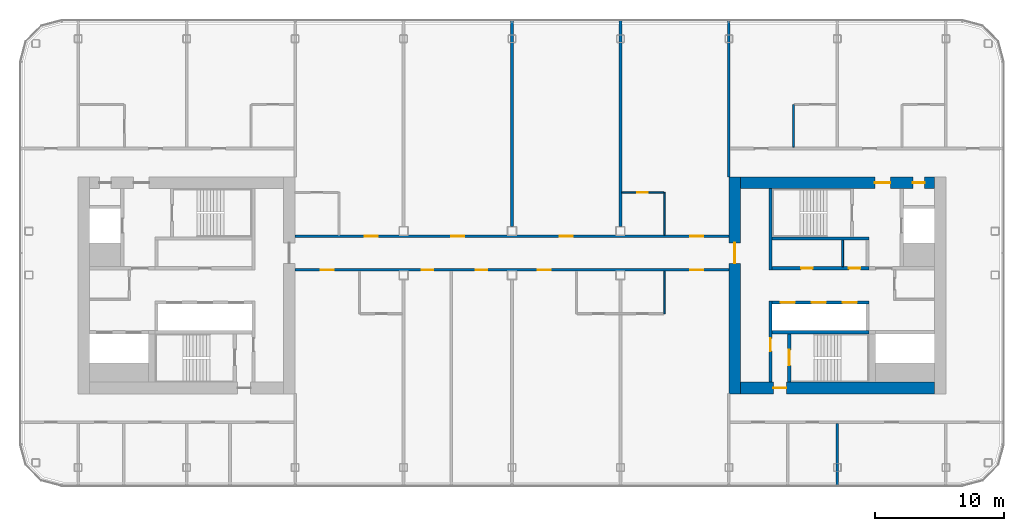
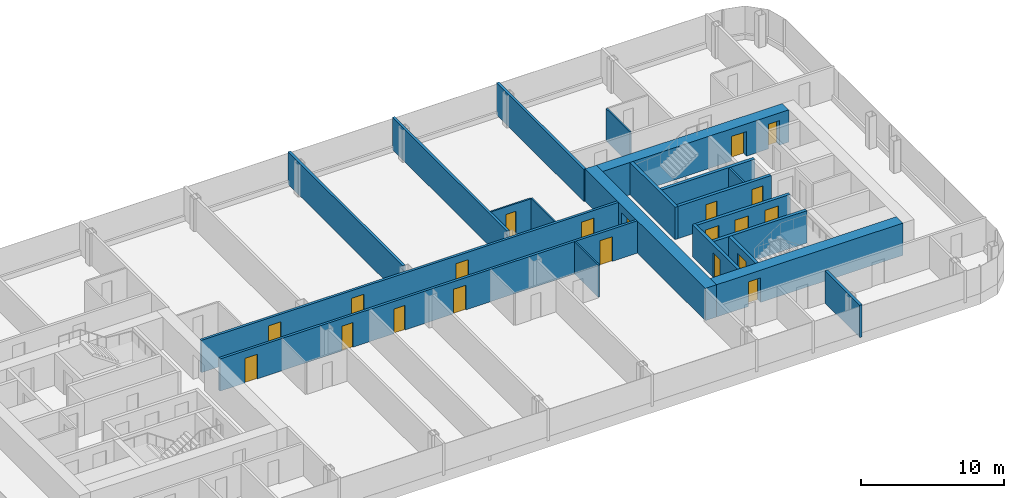
# One storey, part 15 of 25: 21 doors, 21 walls, 21 openings.
"""IFC4 building model written with IfcOpenShell, lengths in metres."""

import ifcopenshell
import ifcopenshell.guid

model = None  # the IFC model being written
_history = None  # IfcOwnerHistory: only IFC2X3 demands one
_inside = {}  # id of a spatial element -> (the spatial element, [elements in it])
_under = {}  # id of a project, library or spatial element -> (it, [spatial elements below it])
_declared = {}  # id of a project -> (the project, [libraries it declares])
_typed = {}  # id of a type object -> (the type object, [elements of that type])
_made_of = {}  # id of a material, layer set ... -> (it, [elements and type objects made of it])


def new_model(schema):
    """Start an empty IFC model of exactly this schema.

    Asked for "IFC4X3", IfcOpenShell would pick the latest addendum, in which some entities
    have other attributes; the version numbers below select the first issue.
    IFC2X3 requires an IfcOwnerHistory on every rooted entity: one is made here for all.
    """
    global model, _history
    if schema == "IFC4X3":
        model = ifcopenshell.file(schema_version=(4, 3, 0, 0))
    else:
        model = ifcopenshell.file(schema=schema)
    _inside.clear()
    _under.clear()
    _declared.clear()
    _typed.clear()
    _made_of.clear()
    _history = None
    if model.schema == "IFC2X3":
        org = make("IfcOrganization", Name="unknown")
        user = make(
            "IfcPersonAndOrganization",
            ThePerson=make("IfcPerson", FamilyName="unknown"),
            TheOrganization=org,
        )
        app = make(
            "IfcApplication",
            ApplicationDeveloper=org,
            Version="unknown",
            ApplicationFullName="unknown",
            ApplicationIdentifier="unknown",
        )
        _history = make(
            "IfcOwnerHistory",
            OwningUser=user,
            OwningApplication=app,
            ChangeAction="ADDED",
            CreationDate=0,
        )
    return model


def make(cls, **values):
    """One entity of the class cls with the attributes given. An attribute that is None is left unset."""
    return model.create_entity(
        cls, **{name: value for name, value in values.items() if value is not None}
    )


def rooted(cls, **values):
    """An entity with a GlobalId (a new one), such as an element, a storey or a relation."""
    return make(cls, GlobalId=ifcopenshell.guid.new(), OwnerHistory=_history, **values)


def si_unit(unit_type, name, prefix=None):
    """IfcSIUnit, for example si_unit("LENGTHUNIT", "METRE", prefix="MILLI")."""
    return make("IfcSIUnit", UnitType=unit_type, Prefix=prefix, Name=name)


def assignment(units):
    """IfcUnitAssignment: the units of a project."""
    return None if units is None else make("IfcUnitAssignment", Units=units)


def point(xyz):
    """IfcCartesianPoint."""
    return None if xyz is None else make("IfcCartesianPoint", Coordinates=xyz)


def direction(xyz):
    """IfcDirection."""
    return None if xyz is None else make("IfcDirection", DirectionRatios=xyz)


def frame(location, z_axis=None, x_axis=None):
    """IfcAxis2Placement3D, a coordinate frame: its origin and axes. An axis left out is left unset."""
    return make(
        "IfcAxis2Placement3D",
        Location=point(location),
        Axis=direction(z_axis),
        RefDirection=direction(x_axis),
    )


def frame_2d(location, x_axis=None):
    """IfcAxis2Placement2D, a coordinate frame in the plane: its origin and x axis."""
    return make(
        "IfcAxis2Placement2D", Location=point(location), RefDirection=direction(x_axis)
    )


def origin():
    """The frame at (0, 0, 0) with its axes left unset."""
    return frame((0.0, 0.0, 0.0))


def place(relative_to, where):
    """IfcLocalPlacement: puts the frame where relative to a parent placement (None: the world)."""
    return make(
        "IfcLocalPlacement", PlacementRelTo=relative_to, RelativePlacement=where
    )


def context(
    kind, dimensions, precision=None, world=None, true_north=None, identifier=None
):
    """IfcGeometricRepresentationContext, for example the 3D "Model" context."""
    return make(
        "IfcGeometricRepresentationContext",
        ContextIdentifier=identifier,
        ContextType=kind,
        CoordinateSpaceDimension=dimensions,
        Precision=precision,
        WorldCoordinateSystem=world,
        TrueNorth=true_north,
    )


def subcontext(parent, identifier, kind, view, scale=None):
    """IfcGeometricRepresentationSubContext, for example "Body" below "Model"."""
    return make(
        "IfcGeometricRepresentationSubContext",
        ContextIdentifier=identifier,
        ContextType=kind,
        ParentContext=parent,
        TargetScale=scale,
        TargetView=view,
    )


def project(units=None, contexts=None):
    """IfcProject with its units and contexts."""
    return rooted(
        "IfcProject",
        Name="project",
        RepresentationContexts=contexts,
        UnitsInContext=assignment(units),
    )


def spatial(cls, under=None, at=None, **own):
    """A site, building, storey or space (cls), placed at a placement, below another one or the project."""
    s = rooted(cls, ObjectPlacement=at, **own)
    if under is not None:
        _under.setdefault(under.id(), (under, []))[1].append(s)
    return s


def profile(cls, at=None, kind="AREA", **sizes):
    """A parametric profile (cls). Its sizes go by their IFC names, for example OverallWidth=200.0."""
    return make(cls, ProfileType=kind, Position=at, **sizes)


def rectangle(**sizes):
    """IfcRectangleProfileDef."""
    return profile("IfcRectangleProfileDef", **sizes)


def extrude(swept, where, along, depth):
    """IfcExtrudedAreaSolid: the profile swept, set in the frame where, extruded along a direction by depth."""
    return make(
        "IfcExtrudedAreaSolid",
        SweptArea=swept,
        Position=where,
        ExtrudedDirection=direction(along),
        Depth=depth,
    )


def shape(context_of_items, identifier, shape_type, items):
    """IfcShapeRepresentation: the items that make up one representation, for example the "Body"."""
    return make(
        "IfcShapeRepresentation",
        ContextOfItems=context_of_items,
        RepresentationIdentifier=identifier,
        RepresentationType=shape_type,
        Items=items,
    )


def material(Name=None, Category=None):
    """IfcMaterial."""
    return make("IfcMaterial", Name=Name, Category=Category)


def layer(
    of_material, thickness, ventilated=None, Name=None, Category=None, Priority=None
):
    """IfcMaterialLayer: one layer of a wall or slab, of a material (None: an air gap)."""
    return make(
        "IfcMaterialLayer",
        Material=of_material,
        LayerThickness=thickness,
        IsVentilated=ventilated,
        Name=Name,
        Category=Category,
        Priority=Priority,
    )


def layer_set(layers, Name=None):
    """IfcMaterialLayerSet."""
    return make("IfcMaterialLayerSet", MaterialLayers=layers, LayerSetName=Name)


def made_of(thing, what):
    """Note that an element or type object is made of a material, layer set ...; save() writes the relation."""
    if what is not None:
        _made_of.setdefault(what.id(), (what, []))[1].append(thing)
    return thing


def type_object(cls, material=None, **own):
    """A type object (cls), such as IfcWallType, which elements share."""
    return made_of(rooted(cls, **own), material)


def element(
    cls,
    number,
    at=None,
    inside=None,
    cuts=None,
    type_object=None,
    material=None,
    context=None,
    identifier="Body",
    shape_type=None,
    held_by="IfcProductDefinitionShape",
    body=None,
    shapes=None,
    **own,
):
    """One element of the class cls, such as IfcWall. Its Tag is "e" and its number.

    at: its placement. inside: the storey or other place that contains it. cuts: it is an
    opening in that element (IfcRelVoidsElement). A single representation is given by context,
    identifier, shape_type and body (its items); several are given by shapes. held_by: the class
    of the entity that holds the representations. save() writes the other relations.
    """
    e = rooted(cls, Tag="e%d" % number, ObjectPlacement=at, **own)
    if body is not None:
        shapes = [shape(context, identifier, shape_type, body)]
    if shapes is not None:
        e.Representation = make(held_by, Representations=shapes)
    if inside is not None:
        _inside.setdefault(inside.id(), (inside, []))[1].append(e)
    if cuts is not None:
        rooted(
            "IfcRelVoidsElement", RelatingBuildingElement=cuts, RelatedOpeningElement=e
        )
    if type_object is not None:
        _typed.setdefault(type_object.id(), (type_object, []))[1].append(e)
    return made_of(e, material)


def fill(opening, filler):
    """IfcRelFillsElement: the door or window that sits in an opening."""
    return rooted(
        "IfcRelFillsElement",
        RelatingOpeningElement=opening,
        RelatedBuildingElement=filler,
    )


def aggregate(whole, parts):
    """IfcRelAggregates: a whole, such as a stair, and the parts it consists of."""
    return rooted("IfcRelAggregates", RelatingObject=whole, RelatedObjects=parts)


def save(model, path):
    """Write the relations noted so far, then the file.

    IfcRelAggregates (storeys below a building ...), IfcRelContainedInSpatialStructure (elements
    in a storey), IfcRelDefinesByType, IfcRelAssociatesMaterial and IfcRelDeclares: one each for
    every whole, place, type object, material and project.
    """
    for whole, parts in _under.values():
        aggregate(whole, parts)
    for where, things in _inside.values():
        rooted(
            "IfcRelContainedInSpatialStructure",
            RelatedElements=things,
            RelatingStructure=where,
        )
    for kind, things in _typed.values():
        rooted("IfcRelDefinesByType", RelatedObjects=things, RelatingType=kind)
    for what, things in _made_of.values():
        rooted("IfcRelAssociatesMaterial", RelatedObjects=things, RelatingMaterial=what)
    for by, libraries in _declared.values():
        rooted("IfcRelDeclares", RelatingContext=by, RelatedDefinitions=libraries)
    model.write(path)


model = new_model("IFC4")

# Units and contexts
model_context = context("Model", 3, precision=1e-05, world=origin(), true_north=direction((0.0, 1.0)))
body_context = subcontext(model_context, "Body", "Model", "MODEL_VIEW")
ifc_project = project(units=[si_unit("LENGTHUNIT", "METRE"), si_unit("AREAUNIT", "SQUARE_METRE"), si_unit("VOLUMEUNIT", "CUBIC_METRE"), si_unit("PLANEANGLEUNIT", "RADIAN"), si_unit("MASSUNIT", "GRAM", prefix="KILO")], contexts=[model_context])

# Site, building, storey
site_placement = place(None, origin())
site = spatial("IfcSite", under=ifc_project, at=site_placement, CompositionType="ELEMENT")
building_placement = place(site_placement, origin())
building = spatial("IfcBuilding", under=site, at=building_placement, Name="Hakoniwa Tower and Hamabe Station Hall", CompositionType="ELEMENT")
storey_placement = place(building_placement, frame((0.0, 0.0, 202.60009765625)))
storey = spatial("IfcBuildingStorey", under=building, at=storey_placement, Name="L57", CompositionType="ELEMENT", Elevation=202.60009765625)

# Wall, opening, door
ifc_material_1 = material(Name="Gypsum board partition", Category="gypsum")
ifc_layer_1 = layer(ifc_material_1, 0.125)
ifc_layer_set_1 = layer_set([ifc_layer_1], Name="Bathroom Partition 125")
wall_type_1 = type_object("IfcWallType", Name="Bathroom Partition 125", PredefinedType="PARTITIONING", material=ifc_layer_set_1)
wall_1_placement = place(storey_placement, frame((8.5, 7.199951171875, 0.0), z_axis=(0.0, 0.0, 1.0), x_axis=(1.0, 0.0, 0.0)))
wall_1 = element("IfcWall", 1, at=wall_1_placement, inside=storey, type_object=wall_type_1, Name="GW-L57-008", PredefinedType="PARTITIONING", context=body_context, shape_type="SweptSolid", body=[
    extrude(rectangle(XDim=3.237548828125, YDim=0.125, at=frame_2d((1.61865234375, 0.0))), origin(), (0.0, 0.0, 1.0), 2.75),
])
opening_1_placement = place(wall_1_placement, frame((1.199951171875, 0.0, 0.0)))
opening_1 = element("IfcOpeningElement", 2, at=opening_1_placement, cuts=wall_1, Name="Opening GD-G4A1-23", PredefinedType="OPENING", context=body_context, shape_type="SweptSolid", body=[
    extrude(rectangle(XDim=0.800048828125, YDim=2.10009765625, at=frame_2d((0.39990234375, 1.050048828125))), frame((0.0, 0.072509765625, 0.0), z_axis=(0.0, -1.0, 0.0), x_axis=(1.0, 0.0, 0.0)), (0.0, 0.0, 1.0), 0.14501953125),
])
ifc_material_2 = material(Name="Timber door leaf", Category="wood")
door_type_1 = type_object("IfcDoorType", Name="Bathroom Door 800", OperationType="SINGLE_SWING_LEFT", PredefinedType="DOOR", material=ifc_material_2)
door_1_placement = place(opening_1_placement, origin())
door_1 = element("IfcDoor", 3, at=door_1_placement, inside=storey, type_object=door_type_1, Name="Door GD-G4A1-23", OperationType="SINGLE_SWING_LEFT", OverallHeight=2.10009765625, OverallWidth=0.800048828125, PredefinedType="DOOR", context=body_context, shape_type="SweptSolid", body=[
    extrude(rectangle(XDim=0.800048828125, YDim=2.10009765625, at=frame_2d((0.39990234375, 1.050048828125))), frame((0.0, 0.02490234375, 0.0), z_axis=(0.0, -1.0, 0.0), x_axis=(1.0, 0.0, 0.0)), (0.0, 0.0, 1.0), 0.050048828125),
])
fill(opening_1, door_1)

# Walls
for number, where, z_axis, x_axis, name in (
    (4, (11.800048828125, -2.199951171875, 0.0), (0.0, 0.0, 1.0), (0.0, 1.0, 0.0), "GW-L57-035"),
    (5, (11.800048828125, 3.89990234375, 0.0), (0.0, 0.0, 1.0), (0.0, 1.0, 0.0), "GW-L57-036"),
    (6, (21.800048828125, 10.699951171875, 0.0), (0.0, 0.0, 1.0), (0.0, 1.0, 0.0), "GW-L57-040"),
):
    element("IfcWall", number, at=place(storey_placement, frame(where, z_axis=z_axis, x_axis=x_axis)), inside=storey, type_object=wall_type_1, Name=name, PredefinedType="PARTITIONING", context=body_context, shape_type="SweptSolid", body=[
        extrude(rectangle(XDim=3.300048828125, YDim=0.125, at=frame_2d((1.64990234375, 0.0))), origin(), (0.0, 0.0, 1.0), 2.75),
    ])
ifc_material_3 = material(Name="Gypsum board partition")
ifc_layer_2 = layer(ifc_material_3, 0.14990234375)
ifc_layer_set_2 = layer_set([ifc_layer_2], Name="CORE PARTITION 150 EI 60")
wall_type_2 = type_object("IfcWallType", Name="CORE PARTITION 150 EI 60", PredefinedType="PARTITIONING", material=ifc_layer_set_2)
wall_2_placement = place(storey_placement, frame((25.60009765625, 1.449951171875, 0.0), z_axis=(0.0, 0.0, 1.0), x_axis=(0.0, 1.0, 0.0)))
element("IfcWall", 7, at=wall_2_placement, inside=storey, type_object=wall_type_2, Name="Core partition PFLR0 east", PredefinedType="PARTITIONING", context=body_context, shape_type="SweptSolid", body=[
    extrude(rectangle(XDim=2.050048828125, YDim=0.14990234375, at=frame_2d((1.02490234375, 0.0))), origin(), (0.0, 0.0, 1.0), 2.75),
])

# Wall, opening, door
ifc_material_4 = material(Name="Concrete C60", Category="concrete")
ifc_layer_3 = layer(ifc_material_4, 0.89990234375)
ifc_layer_set_3 = layer_set([ifc_layer_3], Name="CORE WALL 900 C60")
wall_type_3 = type_object("IfcWallType", Name="CORE WALL 900 C60", PredefinedType="SHEAR", material=ifc_layer_set_3)
wall_3_placement = place(storey_placement, frame((17.25, -8.39990234375, 0.0), z_axis=(0.0, 0.0, 1.0), x_axis=(0.0, 1.0, 0.0)))
wall_3 = element("IfcWall", 8, at=wall_3_placement, inside=storey, type_object=wall_type_3, Name="Core wall INNER east", PredefinedType="SHEAR", context=body_context, shape_type="SweptSolid", body=[
    extrude(rectangle(XDim=16.7998046875, YDim=0.89990234375, at=frame_2d((8.39990234375, 0.0))), origin(), (0.0, 0.0, 1.0), 2.75),
])
opening_2_placement = place(wall_3_placement, frame((10.10009765625, 0.0, 0.0)))
opening_2 = element("IfcOpeningElement", 9, at=opening_2_placement, cuts=wall_3, Name="Opening CD-E-IN1-16", PredefinedType="OPENING", context=body_context, shape_type="SweptSolid", body=[
    extrude(rectangle(XDim=1.60009765625, YDim=2.10009765625, at=frame_2d((0.800048828125, 1.050048828125))), frame((0.0, 0.4599609375, 0.0), z_axis=(0.0, -1.0, 0.0), x_axis=(1.0, 0.0, 0.0)), (0.0, 0.0, 1.0), 0.919921875),
])
ifc_material_5 = material(Name="Steel fire door", Category="steel")
door_type_2 = type_object("IfcDoorType", Name="CORE DOOR 1600 FD60", OperationType="DOUBLE_DOOR_SINGLE_SWING", PredefinedType="DOOR", material=ifc_material_5)
door_2_placement = place(opening_2_placement, origin())
door_2 = element("IfcDoor", 10, at=door_2_placement, inside=storey, type_object=door_type_2, Name="Lift lobby door", OperationType="DOUBLE_DOOR_SINGLE_SWING", OverallHeight=2.10009765625, OverallWidth=1.60009765625, PredefinedType="DOOR", context=body_context, shape_type="SweptSolid", body=[
    extrude(rectangle(XDim=1.60009765625, YDim=2.10009765625, at=frame_2d((0.800048828125, 1.050048828125))), frame((0.0, 0.02490234375, 0.0), z_axis=(0.0, -1.0, 0.0), x_axis=(1.0, 0.0, 0.0)), (0.0, 0.0, 1.0), 0.050048828125),
])
fill(opening_2, door_2)

# Wall, openings, doors
wall_4_placement = place(storey_placement, frame((17.699951171875, 7.949951171875, 0.0), z_axis=(0.0, 0.0, 1.0), x_axis=(1.0, 0.0, 0.0)))
wall_4 = element("IfcWall", 11, at=wall_4_placement, inside=storey, type_object=wall_type_3, Name="Core wall NORTH east", PredefinedType="SHEAR", context=body_context, shape_type="SweptSolid", body=[
    extrude(rectangle(XDim=15.0, YDim=0.89990234375, at=frame_2d((7.5, 0.0))), origin(), (0.0, 0.0, 1.0), 2.75),
])
opening_3_placement = place(wall_4_placement, frame((10.39990234375, 0.0, 0.0)))
opening_3 = element("IfcOpeningElement", 12, at=opening_3_placement, cuts=wall_4, Name="Opening CD-E-FN1-12", PredefinedType="OPENING", context=body_context, shape_type="SweptSolid", body=[
    extrude(rectangle(XDim=1.199951171875, YDim=2.10009765625, at=frame_2d((0.60009765625, 1.050048828125))), frame((0.0, 0.4599609375, 0.0), z_axis=(0.0, -1.0, 0.0), x_axis=(1.0, 0.0, 0.0)), (0.0, 0.0, 1.0), 0.919921875),
])
opening_4_placement = place(wall_4_placement, frame((13.35009765625, 0.0, 0.0)))
opening_4 = element("IfcOpeningElement", 13, at=opening_4_placement, cuts=wall_4, Name="Opening CD-E-FN2-9", PredefinedType="OPENING", context=body_context, shape_type="SweptSolid", body=[
    extrude(rectangle(XDim=0.89990234375, YDim=2.10009765625, at=frame_2d((0.449951171875, 1.050048828125))), frame((0.0, 0.4599609375, 0.0), z_axis=(0.0, -1.0, 0.0), x_axis=(1.0, 0.0, 0.0)), (0.0, 0.0, 1.0), 0.919921875),
])
ifc_material_6 = material(Name="Steel fire door", Category="steel")
door_type_3 = type_object("IfcDoorType", Name="CORE DOOR 1200 FD60", OperationType="DOUBLE_DOOR_SINGLE_SWING", PredefinedType="DOOR", material=ifc_material_6)
door_3_placement = place(opening_3_placement, origin())
door_3 = element("IfcDoor", 14, at=door_3_placement, inside=storey, type_object=door_type_3, Name="Stair vestibule door to the fire-fighting lobby", OperationType="DOUBLE_DOOR_SINGLE_SWING", OverallHeight=2.10009765625, OverallWidth=1.199951171875, PredefinedType="DOOR", context=body_context, shape_type="SweptSolid", body=[
    extrude(rectangle(XDim=1.199951171875, YDim=2.10009765625, at=frame_2d((0.60009765625, 1.050048828125))), frame((0.0, 0.02490234375, 0.0), z_axis=(0.0, -1.0, 0.0), x_axis=(1.0, 0.0, 0.0)), (0.0, 0.0, 1.0), 0.050048828125),
])
fill(opening_3, door_3)
ifc_material_7 = material(Name="Steel fire door", Category="steel")
door_type_4 = type_object("IfcDoorType", Name="CORE DOOR 900 FD30", OperationType="NOTDEFINED", PredefinedType="DOOR", material=ifc_material_7)
door_4_placement = place(opening_4_placement, origin())
door_4 = element("IfcDoor", 15, at=door_4_placement, inside=storey, type_object=door_type_4, Name="Riser access door", OperationType="SINGLE_SWING_RIGHT", OverallHeight=2.10009765625, OverallWidth=0.89990234375, PredefinedType="DOOR", context=body_context, shape_type="SweptSolid", body=[
    extrude(rectangle(XDim=0.89990234375, YDim=2.10009765625, at=frame_2d((0.449951171875, 1.050048828125))), frame((0.0, 0.02490234375, 0.0), z_axis=(0.0, -1.0, 0.0), x_axis=(1.0, 0.0, 0.0)), (0.0, 0.0, 1.0), 0.050048828125),
])
fill(opening_4, door_4)

# Wall, opening, door
wall_5_placement = place(storey_placement, frame((17.699951171875, -7.949951171875, 0.0), z_axis=(0.0, 0.0, 1.0), x_axis=(1.0, 0.0, 0.0)))
wall_5 = element("IfcWall", 16, at=wall_5_placement, inside=storey, type_object=wall_type_3, Name="Core wall SOUTH east", PredefinedType="SHEAR", context=body_context, shape_type="SweptSolid", body=[
    extrude(rectangle(XDim=15.0, YDim=0.89990234375, at=frame_2d((7.5, 0.0))), origin(), (0.0, 0.0, 1.0), 2.75),
])
opening_5_placement = place(wall_5_placement, frame((2.550048828125, 0.0, 0.0)))
opening_5 = element("IfcOpeningElement", 17, at=opening_5_placement, cuts=wall_5, Name="Opening CD-E-FS3-10", PredefinedType="OPENING", context=body_context, shape_type="SweptSolid", body=[
    extrude(rectangle(XDim=1.0, YDim=2.10009765625, at=frame_2d((0.5, 1.050048828125))), frame((0.0, 0.4599609375, 0.0), z_axis=(0.0, -1.0, 0.0), x_axis=(1.0, 0.0, 0.0)), (0.0, 0.0, 1.0), 0.919921875),
])
ifc_material_8 = material(Name="Steel fire door", Category="steel")
door_type_5 = type_object("IfcDoorType", Name="CORE DOOR 1000 FD60", OperationType="NOTDEFINED", PredefinedType="DOOR", material=ifc_material_8)
door_5_placement = place(opening_5_placement, origin())
door_5 = element("IfcDoor", 18, at=door_5_placement, inside=storey, type_object=door_type_5, Name="Stair vestibule door", OperationType="SINGLE_SWING_RIGHT", OverallHeight=2.10009765625, OverallWidth=1.0, PredefinedType="DOOR", context=body_context, shape_type="SweptSolid", body=[
    extrude(rectangle(XDim=1.0, YDim=2.10009765625, at=frame_2d((0.5, 1.050048828125))), frame((0.0, 0.02490234375, 0.0), z_axis=(0.0, -1.0, 0.0), x_axis=(1.0, 0.0, 0.0)), (0.0, 0.0, 1.0), 0.050048828125),
])
fill(opening_5, door_5)

# Wall
ifc_material_9 = material(Name="Concrete C60", Category="concrete")
ifc_layer_4 = layer(ifc_material_9, 0.25)
ifc_layer_set_4 = layer_set([ifc_layer_4], Name="CORE WEB WALL 250 C60")
wall_type_4 = type_object("IfcWallType", Name="CORE WEB WALL 250 C60", PredefinedType="SHEAR", material=ifc_layer_set_4)
wall_6_placement = place(storey_placement, frame((20.02490234375, 1.199951171875, 0.0), z_axis=(0.0, 0.0, 1.0), x_axis=(0.0, 1.0, 0.0)))
element("IfcWall", 19, at=wall_6_placement, inside=storey, type_object=wall_type_4, Name="Core wall W1N east", PredefinedType="SHEAR", context=body_context, shape_type="SweptSolid", body=[
    extrude(rectangle(XDim=6.300048828125, YDim=0.25, at=frame_2d((3.14990234375, 0.0))), origin(), (0.0, 0.0, 1.0), 2.75),
])

# Wall, opening, door
wall_7_placement = place(storey_placement, frame((20.02490234375, -7.5, 0.0), z_axis=(0.0, 0.0, 1.0), x_axis=(0.0, 1.0, 0.0)))
wall_7 = element("IfcWall", 20, at=wall_7_placement, inside=storey, type_object=wall_type_4, Name="Core wall W1S east", PredefinedType="SHEAR", context=body_context, shape_type="SweptSolid", body=[
    extrude(rectangle(XDim=6.300048828125, YDim=0.25, at=frame_2d((3.14990234375, 0.0))), origin(), (0.0, 0.0, 1.0), 2.75),
])
opening_6_placement = place(wall_7_placement, frame((2.39990234375, 0.0, 0.0)))
opening_6 = element("IfcOpeningElement", 21, at=opening_6_placement, cuts=wall_7, Name="Opening CD-E-VS-10", PredefinedType="OPENING", context=body_context, shape_type="SweptSolid", body=[
    extrude(rectangle(XDim=1.0, YDim=2.10009765625, at=frame_2d((0.5, 1.050048828125))), frame((0.0, 0.135009765625, 0.0), z_axis=(0.0, -1.0, 0.0), x_axis=(1.0, 0.0, 0.0)), (0.0, 0.0, 1.0), 0.27001953125),
])
door_6_placement = place(opening_6_placement, origin())
door_6 = element("IfcDoor", 22, at=door_6_placement, inside=storey, type_object=door_type_5, Name="Stair vestibule door", OperationType="SINGLE_SWING_RIGHT", OverallHeight=2.10009765625, OverallWidth=1.0, PredefinedType="DOOR", context=body_context, shape_type="SweptSolid", body=[
    extrude(rectangle(XDim=1.0, YDim=2.10009765625, at=frame_2d((0.5, 1.050048828125))), frame((0.0, 0.02490234375, 0.0), z_axis=(0.0, -1.0, 0.0), x_axis=(1.0, 0.0, 0.0)), (0.0, 0.0, 1.0), 0.050048828125),
])
fill(opening_6, door_6)

# Wall, openings, doors
wall_8_placement = place(storey_placement, frame((20.14990234375, 1.324951171875, 0.0), z_axis=(0.0, 0.0, 1.0), x_axis=(1.0, 0.0, 0.0)))
wall_8 = element("IfcWall", 23, at=wall_8_placement, inside=storey, type_object=wall_type_4, Name="Core wall NF east", PredefinedType="SHEAR", context=body_context, shape_type="SweptSolid", body=[
    extrude(rectangle(XDim=7.5, YDim=0.25, at=frame_2d((3.75, 0.0))), origin(), (0.0, 0.0, 1.0), 2.75),
])
opening_7_placement = place(wall_8_placement, frame((2.237548828125, 0.0, 0.0)))
opening_7 = element("IfcOpeningElement", 24, at=opening_7_placement, cuts=wall_8, Name="Opening CD-E-FRLR0-9", PredefinedType="OPENING", context=body_context, shape_type="SweptSolid", body=[
    extrude(rectangle(XDim=0.89990234375, YDim=2.10009765625, at=frame_2d((0.449951171875, 1.050048828125))), frame((0.0, 0.135009765625, 0.0), z_axis=(0.0, -1.0, 0.0), x_axis=(1.0, 0.0, 0.0)), (0.0, 0.0, 1.0), 0.27001953125),
])
opening_8_placement = place(wall_8_placement, frame((5.9375, 0.0, 0.0)))
opening_8 = element("IfcOpeningElement", 25, at=opening_8_placement, cuts=wall_8, Name="Opening CD-E-FRLR1-9", PredefinedType="OPENING", context=body_context, shape_type="SweptSolid", body=[
    extrude(rectangle(XDim=0.89990234375, YDim=2.10009765625, at=frame_2d((0.449951171875, 1.050048828125))), frame((0.0, 0.135009765625, 0.0), z_axis=(0.0, -1.0, 0.0), x_axis=(1.0, 0.0, 0.0)), (0.0, 0.0, 1.0), 0.27001953125),
])
door_7_placement = place(opening_7_placement, origin())
door_7 = element("IfcDoor", 26, at=door_7_placement, inside=storey, type_object=door_type_4, Name="Store room door", OperationType="SINGLE_SWING_LEFT", OverallHeight=2.10009765625, OverallWidth=0.89990234375, PredefinedType="DOOR", context=body_context, shape_type="SweptSolid", body=[
    extrude(rectangle(XDim=0.89990234375, YDim=2.10009765625, at=frame_2d((0.449951171875, 1.050048828125))), frame((0.0, 0.02490234375, 0.0), z_axis=(0.0, -1.0, 0.0), x_axis=(1.0, 0.0, 0.0)), (0.0, 0.0, 1.0), 0.050048828125),
])
fill(opening_7, door_7)
door_8_placement = place(opening_8_placement, origin())
door_8 = element("IfcDoor", 27, at=door_8_placement, inside=storey, type_object=door_type_4, Name="Store room door", OperationType="SINGLE_SWING_RIGHT", OverallHeight=2.10009765625, OverallWidth=0.89990234375, PredefinedType="DOOR", context=body_context, shape_type="SweptSolid", body=[
    extrude(rectangle(XDim=0.89990234375, YDim=2.10009765625, at=frame_2d((0.449951171875, 1.050048828125))), frame((0.0, 0.02490234375, 0.0), z_axis=(0.0, -1.0, 0.0), x_axis=(1.0, 0.0, 0.0)), (0.0, 0.0, 1.0), 0.050048828125),
])
fill(opening_8, door_8)

# Wall
wall_9_placement = place(storey_placement, frame((20.14990234375, 3.625, 0.0), z_axis=(0.0, 0.0, 1.0), x_axis=(1.0, 0.0, 0.0)))
element("IfcWall", 28, at=wall_9_placement, inside=storey, type_object=wall_type_4, Name="Core wall NR east", PredefinedType="SHEAR", context=body_context, shape_type="SweptSolid", body=[
    extrude(rectangle(XDim=7.5, YDim=0.25, at=frame_2d((3.75, 0.0))), origin(), (0.0, 0.0, 1.0), 2.75),
])

# Wall, openings, doors
wall_10_placement = place(storey_placement, frame((20.14990234375, -1.324951171875, 0.0), z_axis=(0.0, 0.0, 1.0), x_axis=(1.0, 0.0, 0.0)))
wall_10 = element("IfcWall", 29, at=wall_10_placement, inside=storey, type_object=wall_type_4, Name="Core wall SF east", PredefinedType="SHEAR", context=body_context, shape_type="SweptSolid", body=[
    extrude(rectangle(XDim=7.5, YDim=0.25, at=frame_2d((3.75, 0.0))), origin(), (0.0, 0.0, 1.0), 2.75),
])
opening_9_placement = place(wall_10_placement, frame((0.64990234375, 0.0, 0.0)))
opening_9 = element("IfcOpeningElement", 30, at=opening_9_placement, cuts=wall_10, Name="Opening LD-HR4", PredefinedType="OPENING", context=body_context, shape_type="SweptSolid", body=[
    extrude(rectangle(XDim=1.10009765625, YDim=2.10009765625, at=frame_2d((0.550048828125, 1.050048828125))), frame((0.0, 0.135009765625, 0.0), z_axis=(0.0, -1.0, 0.0), x_axis=(1.0, 0.0, 0.0)), (0.0, 0.0, 1.0), 0.27001953125),
])
opening_10_placement = place(wall_10_placement, frame((3.050048828125, 0.0, 0.0)))
opening_10 = element("IfcOpeningElement", 31, at=opening_10_placement, cuts=wall_10, Name="Opening LD-HR5", PredefinedType="OPENING", context=body_context, shape_type="SweptSolid", body=[
    extrude(rectangle(XDim=1.10009765625, YDim=2.10009765625, at=frame_2d((0.550048828125, 1.050048828125))), frame((0.0, 0.135009765625, 0.0), z_axis=(0.0, -1.0, 0.0), x_axis=(1.0, 0.0, 0.0)), (0.0, 0.0, 1.0), 0.27001953125),
])
opening_11_placement = place(wall_10_placement, frame((5.449951171875, 0.0, 0.0)))
opening_11 = element("IfcOpeningElement", 32, at=opening_11_placement, cuts=wall_10, Name="Opening LD-HR6", PredefinedType="OPENING", context=body_context, shape_type="SweptSolid", body=[
    extrude(rectangle(XDim=1.10009765625, YDim=2.10009765625, at=frame_2d((0.550048828125, 1.050048828125))), frame((0.0, 0.135009765625, 0.0), z_axis=(0.0, -1.0, 0.0), x_axis=(1.0, 0.0, 0.0)), (0.0, 0.0, 1.0), 0.27001953125),
])
ifc_material_10 = material(Name="Stainless steel SUS304", Category="steel")
door_type_6 = type_object("IfcDoorType", Name="LIFT LANDING DOOR 1100 FD60", OperationType="DOUBLE_DOOR_SLIDING", PredefinedType="DOOR", material=ifc_material_10)
door_9_placement = place(opening_9_placement, origin())
door_9 = element("IfcDoor", 33, at=door_9_placement, inside=storey, type_object=door_type_6, Name="Lift landing door HR4 L57", OperationType="DOUBLE_DOOR_SLIDING", OverallHeight=2.10009765625, OverallWidth=1.10009765625, PredefinedType="DOOR", context=body_context, shape_type="SweptSolid", body=[
    extrude(rectangle(XDim=1.10009765625, YDim=2.10009765625, at=frame_2d((0.550048828125, 1.050048828125))), frame((0.0, 0.02490234375, 0.0), z_axis=(0.0, -1.0, 0.0), x_axis=(1.0, 0.0, 0.0)), (0.0, 0.0, 1.0), 0.050048828125),
])
fill(opening_9, door_9)
door_10_placement = place(opening_10_placement, origin())
door_10 = element("IfcDoor", 34, at=door_10_placement, inside=storey, type_object=door_type_6, Name="Lift landing door HR5 L57", OperationType="DOUBLE_DOOR_SLIDING", OverallHeight=2.10009765625, OverallWidth=1.10009765625, PredefinedType="DOOR", context=body_context, shape_type="SweptSolid", body=[
    extrude(rectangle(XDim=1.10009765625, YDim=2.10009765625, at=frame_2d((0.550048828125, 1.050048828125))), frame((0.0, 0.02490234375, 0.0), z_axis=(0.0, -1.0, 0.0), x_axis=(1.0, 0.0, 0.0)), (0.0, 0.0, 1.0), 0.050048828125),
])
fill(opening_10, door_10)
door_11_placement = place(opening_11_placement, origin())
door_11 = element("IfcDoor", 35, at=door_11_placement, inside=storey, type_object=door_type_6, Name="Lift landing door HR6 L57", OperationType="DOUBLE_DOOR_SLIDING", OverallHeight=2.10009765625, OverallWidth=1.10009765625, PredefinedType="DOOR", context=body_context, shape_type="SweptSolid", body=[
    extrude(rectangle(XDim=1.10009765625, YDim=2.10009765625, at=frame_2d((0.550048828125, 1.050048828125))), frame((0.0, 0.02490234375, 0.0), z_axis=(0.0, -1.0, 0.0), x_axis=(1.0, 0.0, 0.0)), (0.0, 0.0, 1.0), 0.050048828125),
])
fill(opening_11, door_11)

# Wall
wall_11_placement = place(storey_placement, frame((20.14990234375, -3.625, 0.0), z_axis=(0.0, 0.0, 1.0), x_axis=(1.0, 0.0, 0.0)))
element("IfcWall", 36, at=wall_11_placement, inside=storey, type_object=wall_type_4, Name="Core wall SR east", PredefinedType="SHEAR", context=body_context, shape_type="SweptSolid", body=[
    extrude(rectangle(XDim=7.5, YDim=0.25, at=frame_2d((3.75, 0.0))), origin(), (0.0, 0.0, 1.0), 2.75),
])

# Wall, opening, door
wall_12_placement = place(storey_placement, frame((21.47509765625, -7.5, 0.0), z_axis=(0.0, 0.0, 1.0), x_axis=(0.0, 1.0, 0.0)))
wall_12 = element("IfcWall", 37, at=wall_12_placement, inside=storey, type_object=wall_type_4, Name="Core wall VE east", PredefinedType="SHEAR", context=body_context, shape_type="SweptSolid", body=[
    extrude(rectangle(XDim=3.75, YDim=0.25, at=frame_2d((1.875, 0.0))), origin(), (0.0, 0.0, 1.0), 2.75),
])
opening_12_placement = place(wall_12_placement, frame((1.300048828125, 0.0, 0.0)))
opening_12 = element("IfcOpeningElement", 38, at=opening_12_placement, cuts=wall_12, Name="Opening CD-E-SS-12", PredefinedType="OPENING", context=body_context, shape_type="SweptSolid", body=[
    extrude(rectangle(XDim=1.199951171875, YDim=2.10009765625, at=frame_2d((0.60009765625, 1.050048828125))), frame((0.0, 0.135009765625, 0.0), z_axis=(0.0, -1.0, 0.0), x_axis=(1.0, 0.0, 0.0)), (0.0, 0.0, 1.0), 0.27001953125),
])
door_12_placement = place(opening_12_placement, origin())
door_12 = element("IfcDoor", 39, at=door_12_placement, inside=storey, type_object=door_type_3, Name="Escape stair door", OperationType="DOUBLE_DOOR_SINGLE_SWING", OverallHeight=2.10009765625, OverallWidth=1.199951171875, PredefinedType="DOOR", context=body_context, shape_type="SweptSolid", body=[
    extrude(rectangle(XDim=1.199951171875, YDim=2.10009765625, at=frame_2d((0.60009765625, 1.050048828125))), frame((0.0, 0.02490234375, 0.0), z_axis=(0.0, -1.0, 0.0), x_axis=(1.0, 0.0, 0.0)), (0.0, 0.0, 1.0), 0.050048828125),
])
fill(opening_12, door_12)

# Wall, openings, doors
ifc_material_11 = material(Name="Fire-rated gypsum board partition", Category="gypsum")
ifc_layer_5 = layer(ifc_material_11, 0.199951171875)
ifc_layer_set_5 = layer_set([ifc_layer_5], Name="Corridor Wall 200")
wall_type_5 = type_object("IfcWallType", Name="Corridor Wall 200", PredefinedType="PARTITIONING", material=ifc_layer_set_5)
wall_13_placement = place(storey_placement, frame((-16.800048828125, 1.199951171875, 0.0), z_axis=(0.0, 0.0, 1.0), x_axis=(1.0, 0.0, 0.0)))
wall_13 = element("IfcWall", 40, at=wall_13_placement, inside=storey, type_object=wall_type_5, Name="GW-L57-005", PredefinedType="PARTITIONING", context=body_context, shape_type="SweptSolid", body=[
    extrude(rectangle(XDim=33.60009765625, YDim=0.199951171875, at=frame_2d((16.800048828125, 0.0))), origin(), (0.0, 0.0, 1.0), 2.75),
])
opening_13_placement = place(wall_13_placement, frame((2.0, 0.0, 0.0)))
opening_13 = element("IfcOpeningElement", 41, at=opening_13_placement, cuts=wall_13, Name="Opening GD-G4A1-13", PredefinedType="OPENING", context=body_context, shape_type="SweptSolid", body=[
    extrude(rectangle(XDim=1.0, YDim=2.10009765625, at=frame_2d((0.5, 1.050048828125))), frame((0.0, 0.10986328125, 0.0), z_axis=(0.0, -1.0, 0.0), x_axis=(1.0, 0.0, 0.0)), (0.0, 0.0, 1.0), 0.219970703125),
])
opening_14_placement = place(wall_13_placement, frame((9.800048828125, 0.0, 0.0)))
opening_14 = element("IfcOpeningElement", 42, at=opening_14_placement, cuts=wall_13, Name="Opening GD-G4A1-14", PredefinedType="OPENING", context=body_context, shape_type="SweptSolid", body=[
    extrude(rectangle(XDim=0.89990234375, YDim=2.10009765625, at=frame_2d((0.449951171875, 1.050048828125))), frame((0.0, 0.10986328125, 0.0), z_axis=(0.0, -1.0, 0.0), x_axis=(1.0, 0.0, 0.0)), (0.0, 0.0, 1.0), 0.219970703125),
])
opening_15_placement = place(wall_13_placement, frame((14.0, 0.0, 0.0)))
opening_15 = element("IfcOpeningElement", 43, at=opening_15_placement, cuts=wall_13, Name="Opening GD-G4A1-15", PredefinedType="OPENING", context=body_context, shape_type="SweptSolid", body=[
    extrude(rectangle(XDim=0.89990234375, YDim=2.10009765625, at=frame_2d((0.449951171875, 1.050048828125))), frame((0.0, 0.10986328125, 0.0), z_axis=(0.0, -1.0, 0.0), x_axis=(1.0, 0.0, 0.0)), (0.0, 0.0, 1.0), 0.219970703125),
])
opening_16_placement = place(wall_13_placement, frame((18.800048828125, 0.0, 0.0)))
opening_16 = element("IfcOpeningElement", 44, at=opening_16_placement, cuts=wall_13, Name="Opening GD-G4A1-16", PredefinedType="OPENING", context=body_context, shape_type="SweptSolid", body=[
    extrude(rectangle(XDim=1.0, YDim=2.10009765625, at=frame_2d((0.5, 1.050048828125))), frame((0.0, 0.10986328125, 0.0), z_axis=(0.0, -1.0, 0.0), x_axis=(1.0, 0.0, 0.0)), (0.0, 0.0, 1.0), 0.219970703125),
])
opening_17_placement = place(wall_13_placement, frame((30.60009765625, 0.0, 0.0)))
opening_17 = element("IfcOpeningElement", 45, at=opening_17_placement, cuts=wall_13, Name="Opening GD-G4A1-17", PredefinedType="OPENING", context=body_context, shape_type="SweptSolid", body=[
    extrude(rectangle(XDim=1.0, YDim=2.10009765625, at=frame_2d((0.5, 1.050048828125))), frame((0.0, 0.10986328125, 0.0), z_axis=(0.0, -1.0, 0.0), x_axis=(1.0, 0.0, 0.0)), (0.0, 0.0, 1.0), 0.219970703125),
])
ifc_material_12 = material(Name="Timber door leaf", Category="wood")
door_type_7 = type_object("IfcDoorType", Name="Guest Entrance Door 1000", OperationType="SINGLE_SWING_LEFT", PredefinedType="DOOR", material=ifc_material_12)
door_13_placement = place(opening_13_placement, origin())
door_13 = element("IfcDoor", 46, at=door_13_placement, inside=storey, type_object=door_type_7, Name="Door GD-G4A1-13", OperationType="SINGLE_SWING_RIGHT", OverallHeight=2.10009765625, OverallWidth=1.0, PredefinedType="DOOR", context=body_context, shape_type="SweptSolid", body=[
    extrude(rectangle(XDim=1.0, YDim=2.10009765625, at=frame_2d((0.5, 1.050048828125))), frame((0.0, 0.02490234375, 0.0), z_axis=(0.0, -1.0, 0.0), x_axis=(1.0, 0.0, 0.0)), (0.0, 0.0, 1.0), 0.050048828125),
])
fill(opening_13, door_13)
door_14_placement = place(opening_16_placement, origin())
door_14 = element("IfcDoor", 47, at=door_14_placement, inside=storey, type_object=door_type_7, Name="Door GD-G4A1-16", OperationType="SINGLE_SWING_LEFT", OverallHeight=2.10009765625, OverallWidth=1.0, PredefinedType="DOOR", context=body_context, shape_type="SweptSolid", body=[
    extrude(rectangle(XDim=1.0, YDim=2.10009765625, at=frame_2d((0.5, 1.050048828125))), frame((0.0, 0.02490234375, 0.0), z_axis=(0.0, -1.0, 0.0), x_axis=(1.0, 0.0, 0.0)), (0.0, 0.0, 1.0), 0.050048828125),
])
fill(opening_16, door_14)
door_15_placement = place(opening_17_placement, origin())
door_15 = element("IfcDoor", 48, at=door_15_placement, inside=storey, type_object=door_type_7, Name="Door GD-G4A1-17", OperationType="SINGLE_SWING_RIGHT", OverallHeight=2.10009765625, OverallWidth=1.0, PredefinedType="DOOR", context=body_context, shape_type="SweptSolid", body=[
    extrude(rectangle(XDim=1.0, YDim=2.10009765625, at=frame_2d((0.5, 1.050048828125))), frame((0.0, 0.02490234375, 0.0), z_axis=(0.0, -1.0, 0.0), x_axis=(1.0, 0.0, 0.0)), (0.0, 0.0, 1.0), 0.050048828125),
])
fill(opening_17, door_15)
ifc_material_13 = material(Name="Timber door leaf", Category="wood")
door_type_8 = type_object("IfcDoorType", Name="Service Door 900", OperationType="SINGLE_SWING_LEFT", PredefinedType="DOOR", material=ifc_material_13)
door_16_placement = place(opening_14_placement, origin())
door_16 = element("IfcDoor", 49, at=door_16_placement, inside=storey, type_object=door_type_8, Name="Door GD-G4A1-14", OperationType="SINGLE_SWING_RIGHT", OverallHeight=2.10009765625, OverallWidth=0.89990234375, PredefinedType="DOOR", context=body_context, shape_type="SweptSolid", body=[
    extrude(rectangle(XDim=0.89990234375, YDim=2.10009765625, at=frame_2d((0.449951171875, 1.050048828125))), frame((0.0, 0.02490234375, 0.0), z_axis=(0.0, -1.0, 0.0), x_axis=(1.0, 0.0, 0.0)), (0.0, 0.0, 1.0), 0.050048828125),
])
fill(opening_14, door_16)
door_17_placement = place(opening_15_placement, origin())
door_17 = element("IfcDoor", 50, at=door_17_placement, inside=storey, type_object=door_type_8, Name="Door GD-G4A1-15", OperationType="SINGLE_SWING_RIGHT", OverallHeight=2.10009765625, OverallWidth=0.89990234375, PredefinedType="DOOR", context=body_context, shape_type="SweptSolid", body=[
    extrude(rectangle(XDim=0.89990234375, YDim=2.10009765625, at=frame_2d((0.449951171875, 1.050048828125))), frame((0.0, 0.02490234375, 0.0), z_axis=(0.0, -1.0, 0.0), x_axis=(1.0, 0.0, 0.0)), (0.0, 0.0, 1.0), 0.050048828125),
])
fill(opening_15, door_17)

wall_14_placement = place(storey_placement, frame((-16.800048828125, 3.800048828125, 0.0), z_axis=(0.0, 0.0, 1.0), x_axis=(1.0, 0.0, 0.0)))
wall_14 = element("IfcWall", 51, at=wall_14_placement, inside=storey, type_object=wall_type_5, Name="GW-L57-006", PredefinedType="PARTITIONING", context=body_context, shape_type="SweptSolid", body=[
    extrude(rectangle(XDim=33.60009765625, YDim=0.199951171875, at=frame_2d((16.800048828125, 0.0))), origin(), (0.0, 0.0, 1.0), 2.75),
])
opening_18_placement = place(wall_14_placement, frame((5.39990234375, 0.0, 0.0)))
opening_18 = element("IfcOpeningElement", 52, at=opening_18_placement, cuts=wall_14, Name="Opening GD-G4A1-18", PredefinedType="OPENING", context=body_context, shape_type="SweptSolid", body=[
    extrude(rectangle(XDim=1.0, YDim=2.10009765625, at=frame_2d((0.5, 1.050048828125))), frame((0.0, 0.10986328125, 0.0), z_axis=(0.0, -1.0, 0.0), x_axis=(1.0, 0.0, 0.0)), (0.0, 0.0, 1.0), 0.219970703125),
])
opening_19_placement = place(wall_14_placement, frame((12.10009765625, 0.0, 0.0)))
opening_19 = element("IfcOpeningElement", 53, at=opening_19_placement, cuts=wall_14, Name="Opening GD-G4A1-19", PredefinedType="OPENING", context=body_context, shape_type="SweptSolid", body=[
    extrude(rectangle(XDim=1.0, YDim=2.10009765625, at=frame_2d((0.5, 1.050048828125))), frame((0.0, 0.10986328125, 0.0), z_axis=(0.0, -1.0, 0.0), x_axis=(1.0, 0.0, 0.0)), (0.0, 0.0, 1.0), 0.219970703125),
])
opening_20_placement = place(wall_14_placement, frame((20.5, 0.0, 0.0)))
opening_20 = element("IfcOpeningElement", 54, at=opening_20_placement, cuts=wall_14, Name="Opening GD-G4A1-20", PredefinedType="OPENING", context=body_context, shape_type="SweptSolid", body=[
    extrude(rectangle(XDim=1.0, YDim=2.10009765625, at=frame_2d((0.5, 1.050048828125))), frame((0.0, 0.10986328125, 0.0), z_axis=(0.0, -1.0, 0.0), x_axis=(1.0, 0.0, 0.0)), (0.0, 0.0, 1.0), 0.219970703125),
])
opening_21_placement = place(wall_14_placement, frame((30.60009765625, 0.0, 0.0)))
opening_21 = element("IfcOpeningElement", 55, at=opening_21_placement, cuts=wall_14, Name="Opening GD-G4A1-21", PredefinedType="OPENING", context=body_context, shape_type="SweptSolid", body=[
    extrude(rectangle(XDim=1.0, YDim=2.10009765625, at=frame_2d((0.5, 1.050048828125))), frame((0.0, 0.10986328125, 0.0), z_axis=(0.0, -1.0, 0.0), x_axis=(1.0, 0.0, 0.0)), (0.0, 0.0, 1.0), 0.219970703125),
])
door_18_placement = place(opening_18_placement, origin())
door_18 = element("IfcDoor", 56, at=door_18_placement, inside=storey, type_object=door_type_7, Name="Door GD-G4A1-18", OperationType="SINGLE_SWING_RIGHT", OverallHeight=2.10009765625, OverallWidth=1.0, PredefinedType="DOOR", context=body_context, shape_type="SweptSolid", body=[
    extrude(rectangle(XDim=1.0, YDim=2.10009765625, at=frame_2d((0.5, 1.050048828125))), frame((0.0, 0.02490234375, 0.0), z_axis=(0.0, -1.0, 0.0), x_axis=(1.0, 0.0, 0.0)), (0.0, 0.0, 1.0), 0.050048828125),
])
fill(opening_18, door_18)
door_19_placement = place(opening_19_placement, origin())
door_19 = element("IfcDoor", 57, at=door_19_placement, inside=storey, type_object=door_type_7, Name="Door GD-G4A1-19", OperationType="SINGLE_SWING_LEFT", OverallHeight=2.10009765625, OverallWidth=1.0, PredefinedType="DOOR", context=body_context, shape_type="SweptSolid", body=[
    extrude(rectangle(XDim=1.0, YDim=2.10009765625, at=frame_2d((0.5, 1.050048828125))), frame((0.0, 0.02490234375, 0.0), z_axis=(0.0, -1.0, 0.0), x_axis=(1.0, 0.0, 0.0)), (0.0, 0.0, 1.0), 0.050048828125),
])
fill(opening_19, door_19)
door_20_placement = place(opening_20_placement, origin())
door_20 = element("IfcDoor", 58, at=door_20_placement, inside=storey, type_object=door_type_7, Name="Door GD-G4A1-20", OperationType="SINGLE_SWING_LEFT", OverallHeight=2.10009765625, OverallWidth=1.0, PredefinedType="DOOR", context=body_context, shape_type="SweptSolid", body=[
    extrude(rectangle(XDim=1.0, YDim=2.10009765625, at=frame_2d((0.5, 1.050048828125))), frame((0.0, 0.02490234375, 0.0), z_axis=(0.0, -1.0, 0.0), x_axis=(1.0, 0.0, 0.0)), (0.0, 0.0, 1.0), 0.050048828125),
])
fill(opening_20, door_20)
door_21_placement = place(opening_21_placement, origin())
door_21 = element("IfcDoor", 59, at=door_21_placement, inside=storey, type_object=door_type_7, Name="Door GD-G4A1-21", OperationType="SINGLE_SWING_RIGHT", OverallHeight=2.10009765625, OverallWidth=1.0, PredefinedType="DOOR", context=body_context, shape_type="SweptSolid", body=[
    extrude(rectangle(XDim=1.0, YDim=2.10009765625, at=frame_2d((0.5, 1.050048828125))), frame((0.0, 0.02490234375, 0.0), z_axis=(0.0, -1.0, 0.0), x_axis=(1.0, 0.0, 0.0)), (0.0, 0.0, 1.0), 0.050048828125),
])
fill(opening_21, door_21)

# Walls
ifc_material_14 = material(Name="Fire-rated gypsum board partition", Category="gypsum")
ifc_layer_6 = layer(ifc_material_14, 0.199951171875)
ifc_layer_set_6 = layer_set([ifc_layer_6], Name="Party Wall 200")
wall_type_6 = type_object("IfcWallType", Name="Party Wall 200", PredefinedType="PARTITIONING", material=ifc_layer_set_6)
for number, where, z_axis, x_axis, name in (
    (60, (0.0, 4.5400390625, 0.0), (0.0, 0.0, 1.0), (0.0, 1.0, 0.0), "GW-L57-031"),
    (61, (8.39990234375, 4.5400390625, 0.0), (0.0, 0.0, 1.0), (0.0, 1.0, 0.0), "GW-L57-034"),
):
    element("IfcWall", number, at=place(storey_placement, frame(where, z_axis=z_axis, x_axis=x_axis)), inside=storey, type_object=wall_type_6, Name=name, PredefinedType="PARTITIONING", context=body_context, shape_type="SweptSolid", body=[
        extrude(rectangle(XDim=16.010009765625, YDim=0.199951171875, at=frame_2d((8.0048828125, 0.0))), origin(), (0.0, 0.0, 1.0), 2.75),
    ])
wall_15_placement = place(storey_placement, frame((16.800048828125, 8.389892578125, 0.0), z_axis=(0.0, 0.0, 1.0), x_axis=(0.0, 1.0, 0.0)))
element("IfcWall", 62, at=wall_15_placement, inside=storey, type_object=wall_type_6, Name="GW-L57-038", PredefinedType="PARTITIONING", context=body_context, shape_type="SweptSolid", body=[
    extrude(rectangle(XDim=12.16015625, YDim=0.199951171875, at=frame_2d((6.080078125, 0.0))), origin(), (0.0, 0.0, 1.0), 2.75),
])
wall_16_placement = place(storey_placement, frame((25.199951171875, -15.550048828125, 0.0), z_axis=(0.0, 0.0, 1.0), x_axis=(0.0, 1.0, 0.0)))
element("IfcWall", 63, at=wall_16_placement, inside=storey, type_object=wall_type_6, Name="GW-L57-041", PredefinedType="PARTITIONING", context=body_context, shape_type="SweptSolid", body=[
    extrude(rectangle(XDim=4.85009765625, YDim=0.199951171875, at=frame_2d((2.425048828125, 0.0))), origin(), (0.0, 0.0, 1.0), 2.75),
])

save(model, "model.ifc")
